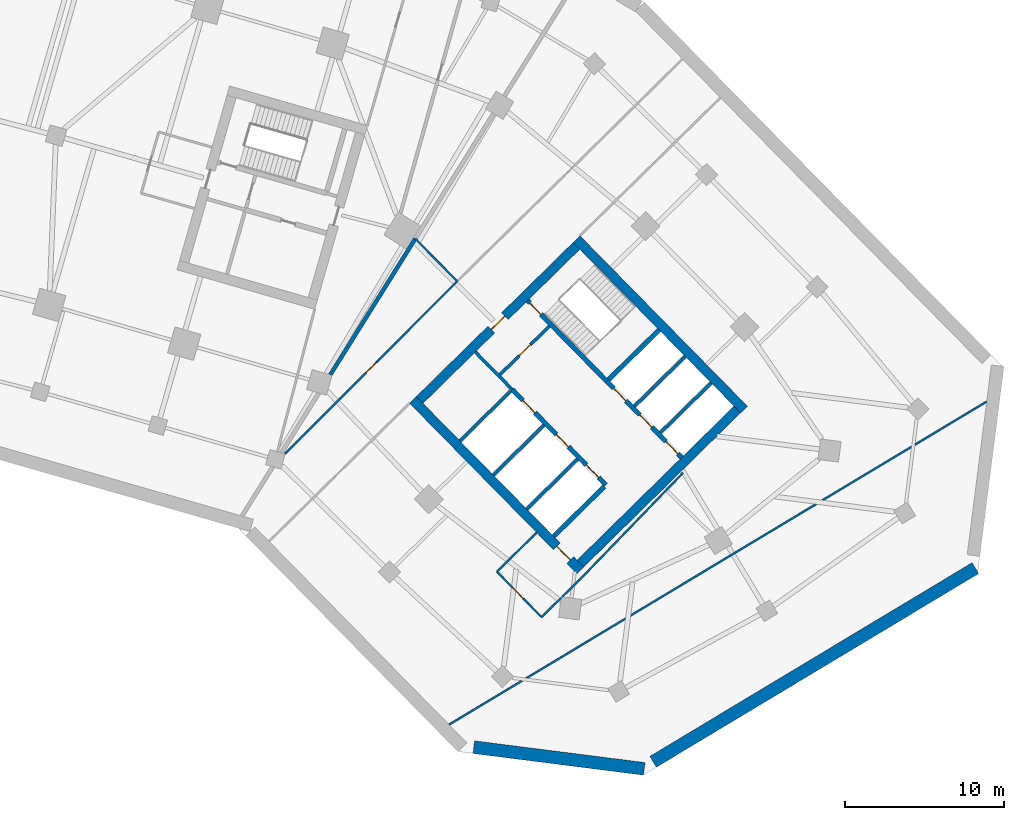
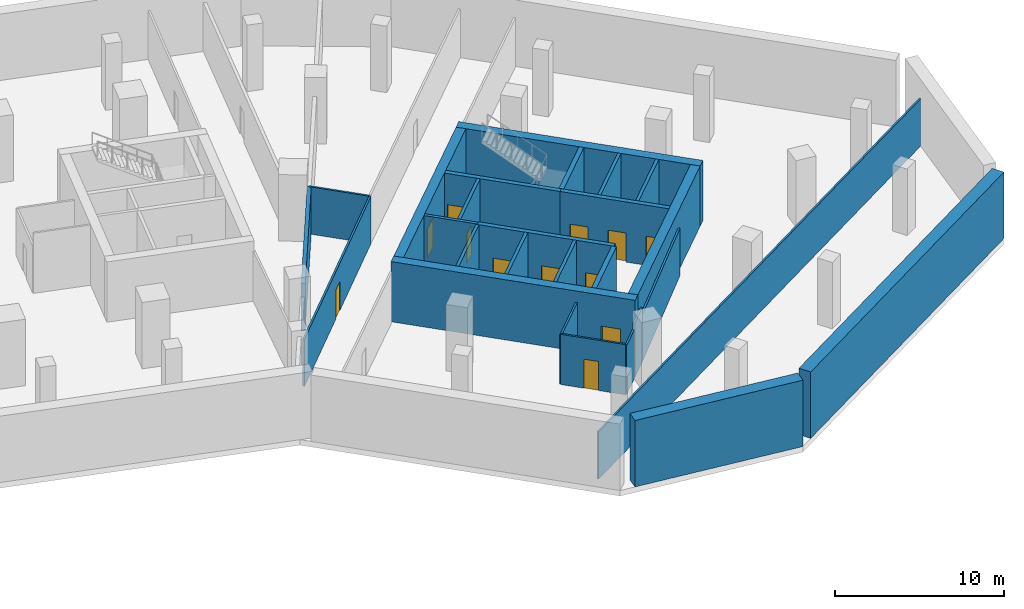
# One storey, part 9 of 13: 27 walls, 12 doors, 12 openings.
"""IFC4 building model written with IfcOpenShell, lengths in metres."""

from ifc_helpers import new_model, si_unit, direction, frame, frame_2d, origin, place, context, subcontext, project, spatial, rectangle, extrude, material, layer, layer_set, type_object, element, fill, save


model = new_model("IFC4")

# Units and contexts
model_context = context("Model", 3, precision=1e-05, world=origin(), true_north=direction((0.0, 1.0)))
body_context = subcontext(model_context, "Body", "Model", "MODEL_VIEW")
ifc_project = project(units=[si_unit("LENGTHUNIT", "METRE"), si_unit("AREAUNIT", "SQUARE_METRE"), si_unit("VOLUMEUNIT", "CUBIC_METRE"), si_unit("PLANEANGLEUNIT", "RADIAN"), si_unit("MASSUNIT", "GRAM", prefix="KILO")], contexts=[model_context])

# Site, building, storey
site_placement = place(None, origin())
site = spatial("IfcSite", under=ifc_project, at=site_placement, CompositionType="ELEMENT")
building_placement = place(site_placement, origin())
building = spatial("IfcBuilding", under=site, at=building_placement, Name="Binnacle Exchange Tower", CompositionType="ELEMENT")
storey_placement = place(building_placement, frame((0.0, 0.0, -4.800048828125)))
storey = spatial("IfcBuildingStorey", under=building, at=storey_placement, Name="B1", CompositionType="ELEMENT", Elevation=-4.800048828125)

# Walls
ifc_material_1 = material(Name="Concrete C40/50", Category="concrete")
ifc_layer_1 = layer(ifc_material_1, 0.800048828125)
ifc_layer_set_1 = layer_set([ifc_layer_1], Name="Basement retaining wall 800 Concrete C40/50")
wall_type_1 = type_object("IfcWallType", Name="Basement retaining wall 800 Concrete C40/50", PredefinedType="SOLIDWALL", material=ifc_layer_set_1)
wall_1_placement = place(storey_placement, frame((35.465576171875, 18.959228515625, 0.0), z_axis=(0.0, 0.0, 1.0), x_axis=(0.992004249918, -0.126204469587, 0.0)))
element("IfcWall", 1, at=wall_1_placement, inside=storey, type_object=wall_type_1, Name="S:RW:B1:11", PredefinedType="SOLIDWALL", context=body_context, shape_type="SweptSolid", body=[
    extrude(rectangle(XDim=10.78662109375, YDim=0.800048828125, at=frame_2d((5.393310546875, 0.0))), origin(), (0.0, 0.0, 1.0), 4.800048828125),
])
wall_2_placement = place(storey_placement, frame((46.724365234375, 18.041748046875, 0.0), z_axis=(0.0, 0.0, 1.0), x_axis=(0.857166937036, 0.515038680151, 0.0)))
element("IfcWall", 2, at=wall_2_placement, inside=storey, type_object=wall_type_1, Name="S:RW:B1:12", PredefinedType="SOLIDWALL", context=body_context, shape_type="SweptSolid", body=[
    extrude(rectangle(XDim=23.603515625, YDim=0.800048828125, at=frame_2d((11.8017578125, 0.0))), origin(), (0.0, 0.0, 1.0), 4.800048828125),
])

# Wall, openings, doors
ifc_material_2 = material(Name="Concrete C70/85", Category="concrete")
ifc_layer_2 = layer(ifc_material_2, 0.300048828125)
ifc_layer_set_2 = layer_set([ifc_layer_2], Name="Core wall - front 300")
wall_type_2 = type_object("IfcWallType", Name="Core wall - front 300", PredefinedType="SOLIDWALL", material=ifc_layer_set_2)
wall_3_placement = place(storey_placement, frame((37.8740234375, 41.41552734375, 0.0), z_axis=(0.0, 0.0, 1.0), x_axis=(0.700918271237, -0.71324159795, 0.0)))
wall_3 = element("IfcWall", 3, at=wall_3_placement, inside=storey, type_object=wall_type_2, Name="Core wall CRWB3", PredefinedType="SOLIDWALL", context=body_context, shape_type="SweptSolid", body=[
    extrude(rectangle(XDim=8.39990234375, YDim=0.300048828125, at=frame_2d((4.199951171875, 0.0))), origin(), (0.0, 0.0, 1.0), 4.35009765625),
])
opening_1_placement = place(wall_3_placement, frame((0.949951171875, 0.0, 0.0)))
opening_1 = element("IfcOpeningElement", 4, at=opening_1_placement, cuts=wall_3, Name="Opening LD15", PredefinedType="OPENING", context=body_context, shape_type="SweptSolid", body=[
    extrude(rectangle(XDim=1.10009765625, YDim=2.10009765625, at=frame_2d((0.550048828125, 1.050048828125))), frame((0.0, 0.159912109375, 0.0), z_axis=(0.0, -1.0, 0.0), x_axis=(1.0, 0.0, 0.0)), (0.0, 0.0, 1.0), 0.320068359375),
])
opening_2_placement = place(wall_3_placement, frame((3.949951171875, 0.0, 0.0)))
opening_2 = element("IfcOpeningElement", 5, at=opening_2_placement, cuts=wall_3, Name="Opening LD16", PredefinedType="OPENING", context=body_context, shape_type="SweptSolid", body=[
    extrude(rectangle(XDim=1.10009765625, YDim=2.10009765625, at=frame_2d((0.550048828125, 1.050048828125))), frame((0.0, 0.159912109375, 0.0), z_axis=(0.0, -1.0, 0.0), x_axis=(1.0, 0.0, 0.0)), (0.0, 0.0, 1.0), 0.320068359375),
])
opening_3_placement = place(wall_3_placement, frame((6.64990234375, 0.0, 0.0)))
opening_3 = element("IfcOpeningElement", 6, at=opening_3_placement, cuts=wall_3, Name="Opening LD4", PredefinedType="OPENING", context=body_context, shape_type="SweptSolid", body=[
    extrude(rectangle(XDim=1.10009765625, YDim=2.10009765625, at=frame_2d((0.550048828125, 1.050048828125))), frame((0.0, 0.159912109375, 0.0), z_axis=(0.0, -1.0, 0.0), x_axis=(1.0, 0.0, 0.0)), (0.0, 0.0, 1.0), 0.320068359375),
])
ifc_material_3 = material(Name="Steel door leaf", Category="steel")
door_type_1 = type_object("IfcDoorType", Name="Fire door - lift landing 1100", OperationType="NOTDEFINED", PredefinedType="DOOR", material=ifc_material_3)
door_1_placement = place(opening_1_placement, origin())
door_1 = element("IfcDoor", 7, at=door_1_placement, inside=storey, type_object=door_type_1, Name="Landing door LD15 B1", OperationType="DOUBLE_DOOR_SLIDING", OverallHeight=2.10009765625, OverallWidth=1.10009765625, PredefinedType="DOOR", context=body_context, shape_type="SweptSolid", body=[
    extrude(rectangle(XDim=1.10009765625, YDim=2.10009765625, at=frame_2d((0.550048828125, 1.050048828125))), frame((0.0, 0.02490234375, 0.0), z_axis=(0.0, -1.0, 0.0), x_axis=(1.0, 0.0, 0.0)), (0.0, 0.0, 1.0), 0.050048828125),
])
fill(opening_1, door_1)
door_2_placement = place(opening_2_placement, origin())
door_2 = element("IfcDoor", 8, at=door_2_placement, inside=storey, type_object=door_type_1, Name="Landing door LD16 B1", OperationType="DOUBLE_DOOR_SLIDING", OverallHeight=2.10009765625, OverallWidth=1.10009765625, PredefinedType="DOOR", context=body_context, shape_type="SweptSolid", body=[
    extrude(rectangle(XDim=1.10009765625, YDim=2.10009765625, at=frame_2d((0.550048828125, 1.050048828125))), frame((0.0, 0.02490234375, 0.0), z_axis=(0.0, -1.0, 0.0), x_axis=(1.0, 0.0, 0.0)), (0.0, 0.0, 1.0), 0.050048828125),
])
fill(opening_2, door_2)
door_3_placement = place(opening_3_placement, origin())
door_3 = element("IfcDoor", 9, at=door_3_placement, inside=storey, type_object=door_type_1, Name="Landing door LD4 B1", OperationType="DOUBLE_DOOR_SLIDING", OverallHeight=2.10009765625, OverallWidth=1.10009765625, PredefinedType="DOOR", context=body_context, shape_type="SweptSolid", body=[
    extrude(rectangle(XDim=1.10009765625, YDim=2.10009765625, at=frame_2d((0.550048828125, 1.050048828125))), frame((0.0, 0.02490234375, 0.0), z_axis=(0.0, -1.0, 0.0), x_axis=(1.0, 0.0, 0.0)), (0.0, 0.0, 1.0), 0.050048828125),
])
fill(opening_3, door_3)

wall_4_placement = place(storey_placement, frame((43.818603515625, 41.92919921875, 0.0), z_axis=(0.0, 0.0, 1.0), x_axis=(0.700921619155, -0.713238307862, 0.0)))
wall_4 = element("IfcWall", 10, at=wall_4_placement, inside=storey, type_object=wall_type_2, Name="Core wall CRWB5", PredefinedType="SOLIDWALL", context=body_context, shape_type="SweptSolid", body=[
    extrude(rectangle(XDim=6.69970703125, YDim=0.300048828125, at=frame_2d((3.349853515625, 0.0))), origin(), (0.0, 0.0, 1.0), 4.35009765625),
])
opening_4_placement = place(wall_4_placement, frame((0.614990234375, 0.0, 0.0)))
opening_4 = element("IfcOpeningElement", 11, at=opening_4_placement, cuts=wall_4, Name="Opening LD1", PredefinedType="OPENING", context=body_context, shape_type="SweptSolid", body=[
    extrude(rectangle(XDim=1.10009765625, YDim=2.10009765625, at=frame_2d((0.550048828125, 1.050048828125))), frame((0.0, 0.159912109375, 0.0), z_axis=(0.0, -1.0, 0.0), x_axis=(1.0, 0.0, 0.0)), (0.0, 0.0, 1.0), 0.320068359375),
])
opening_5_placement = place(wall_4_placement, frame((2.945068359375, 0.0, 0.0)))
opening_5 = element("IfcOpeningElement", 12, at=opening_5_placement, cuts=wall_4, Name="Opening LD2", PredefinedType="OPENING", context=body_context, shape_type="SweptSolid", body=[
    extrude(rectangle(XDim=1.10009765625, YDim=2.10009765625, at=frame_2d((0.550048828125, 1.050048828125))), frame((0.0, 0.159912109375, 0.0), z_axis=(0.0, -1.0, 0.0), x_axis=(1.0, 0.0, 0.0)), (0.0, 0.0, 1.0), 0.320068359375),
])
opening_6_placement = place(wall_4_placement, frame((5.280029296875, 0.0, 0.0)))
opening_6 = element("IfcOpeningElement", 13, at=opening_6_placement, cuts=wall_4, Name="Opening LD3", PredefinedType="OPENING", context=body_context, shape_type="SweptSolid", body=[
    extrude(rectangle(XDim=1.10009765625, YDim=2.10009765625, at=frame_2d((0.550048828125, 1.050048828125))), frame((0.0, 0.159912109375, 0.0), z_axis=(0.0, -1.0, 0.0), x_axis=(1.0, 0.0, 0.0)), (0.0, 0.0, 1.0), 0.320068359375),
])
door_4_placement = place(opening_4_placement, origin())
door_4 = element("IfcDoor", 14, at=door_4_placement, inside=storey, type_object=door_type_1, Name="Landing door LD1 B1", OperationType="DOUBLE_DOOR_SLIDING", OverallHeight=2.10009765625, OverallWidth=1.10009765625, PredefinedType="DOOR", context=body_context, shape_type="SweptSolid", body=[
    extrude(rectangle(XDim=1.10009765625, YDim=2.10009765625, at=frame_2d((0.550048828125, 1.050048828125))), frame((0.0, 0.02490234375, 0.0), z_axis=(0.0, -1.0, 0.0), x_axis=(1.0, 0.0, 0.0)), (0.0, 0.0, 1.0), 0.050048828125),
])
fill(opening_4, door_4)
door_5_placement = place(opening_5_placement, origin())
door_5 = element("IfcDoor", 15, at=door_5_placement, inside=storey, type_object=door_type_1, Name="Landing door LD2 B1", OperationType="DOUBLE_DOOR_SLIDING", OverallHeight=2.10009765625, OverallWidth=1.10009765625, PredefinedType="DOOR", context=body_context, shape_type="SweptSolid", body=[
    extrude(rectangle(XDim=1.10009765625, YDim=2.10009765625, at=frame_2d((0.550048828125, 1.050048828125))), frame((0.0, 0.02490234375, 0.0), z_axis=(0.0, -1.0, 0.0), x_axis=(1.0, 0.0, 0.0)), (0.0, 0.0, 1.0), 0.050048828125),
])
fill(opening_5, door_5)
door_6_placement = place(opening_6_placement, origin())
door_6 = element("IfcDoor", 16, at=door_6_placement, inside=storey, type_object=door_type_1, Name="Landing door LD3 B1", OperationType="DOUBLE_DOOR_SLIDING", OverallHeight=2.10009765625, OverallWidth=1.10009765625, PredefinedType="DOOR", context=body_context, shape_type="SweptSolid", body=[
    extrude(rectangle(XDim=1.10009765625, YDim=2.10009765625, at=frame_2d((0.550048828125, 1.050048828125))), frame((0.0, 0.02490234375, 0.0), z_axis=(0.0, -1.0, 0.0), x_axis=(1.0, 0.0, 0.0)), (0.0, 0.0, 1.0), 0.050048828125),
])
fill(opening_6, door_6)

# Wall
wall_5_placement = place(storey_placement, frame((40.480712890625, 32.199951171875, 0.0), z_axis=(0.0, 0.0, 1.0), x_axis=(0.713251741427, 0.700907949271, 0.0)))
element("IfcWall", 17, at=wall_5_placement, inside=storey, type_object=wall_type_2, Name="Core wall CRWB14", PredefinedType="SOLIDWALL", context=body_context, shape_type="SweptSolid", body=[
    extrude(rectangle(XDim=4.4501953125, YDim=0.300048828125, at=frame_2d((2.22509765625, 0.0))), origin(), (0.0, 0.0, 1.0), 4.35009765625),
])

# Wall, opening, door
ifc_layer_3 = layer(ifc_material_2, 0.60009765625)
ifc_layer_set_3 = layer_set([ifc_layer_3], Name="Core wall - outer 600")
wall_type_3 = type_object("IfcWallType", Name="Core wall - outer 600", PredefinedType="SOLIDWALL", material=ifc_layer_set_3)
wall_6_placement = place(storey_placement, frame((31.6455078125, 40.7626953125, 0.0), z_axis=(0.0, 0.0, 1.0), x_axis=(0.700911255944, -0.713248491965, 0.0)))
wall_6 = element("IfcWall", 18, at=wall_6_placement, inside=storey, type_object=wall_type_3, Name="Core wall CRWB1", PredefinedType="SOLIDWALL", context=body_context, shape_type="SweptSolid", body=[
    extrude(rectangle(XDim=15.0, YDim=0.60009765625, at=frame_2d((7.5, 0.0))), origin(), (0.0, 0.0, 1.0), 4.35009765625),
])
opening_7_placement = place(wall_6_placement, frame((12.89990234375, 0.0, 0.0)))
opening_7 = element("IfcOpeningElement", 19, at=opening_7_placement, cuts=wall_6, Name="Opening DB7", PredefinedType="OPENING", context=body_context, shape_type="SweptSolid", body=[
    extrude(rectangle(XDim=1.199951171875, YDim=2.10009765625, at=frame_2d((0.60009765625, 1.050048828125))), frame((0.0, 0.31005859375, 0.0), z_axis=(0.0, -1.0, 0.0), x_axis=(1.0, 0.0, 0.0)), (0.0, 0.0, 1.0), 0.6201171875),
])
door_type_2 = type_object("IfcDoorType", Name="Fire door 1200", OperationType="NOTDEFINED", PredefinedType="DOOR", material=ifc_material_3)
door_7_placement = place(opening_7_placement, frame((1.199951171875, 0.0, 0.0), z_axis=(0.0, 0.0, 1.0), x_axis=(-1.0, 0.0, 0.0)))
door_7 = element("IfcDoor", 20, at=door_7_placement, inside=storey, type_object=door_type_2, Name="Lift lobby entrance door core B", OperationType="SINGLE_SWING_LEFT", OverallHeight=2.10009765625, OverallWidth=1.199951171875, PredefinedType="DOOR", context=body_context, shape_type="SweptSolid", body=[
    extrude(rectangle(XDim=1.199951171875, YDim=2.10009765625, at=frame_2d((0.60009765625, 1.050048828125))), frame((0.0, 0.02490234375, 0.0), z_axis=(0.0, -1.0, 0.0), x_axis=(1.0, 0.0, 0.0)), (0.0, 0.0, 1.0), 0.050048828125),
])
fill(opening_7, door_7)

# Wall
wall_7_placement = place(storey_placement, frame((41.91650390625, 50.855712890625, 0.0), z_axis=(0.0, 0.0, 1.0), x_axis=(0.700911255944, -0.713248491965, 0.0)))
element("IfcWall", 21, at=wall_7_placement, inside=storey, type_object=wall_type_3, Name="Core wall CRWB6", PredefinedType="SOLIDWALL", context=body_context, shape_type="SweptSolid", body=[
    extrude(rectangle(XDim=15.0, YDim=0.60009765625, at=frame_2d((7.5, 0.0))), origin(), (0.0, 0.0, 1.0), 4.35009765625),
])

# Wall, opening, door
wall_8_placement = place(storey_placement, frame((32.06982421875, 40.759033203125, 0.0), z_axis=(0.0, 0.0, 1.0), x_axis=(0.713245344712, 0.70091445858, 0.0)))
wall_8 = element("IfcWall", 22, at=wall_8_placement, inside=storey, type_object=wall_type_3, Name="Core wall CRWB7", PredefinedType="SOLIDWALL", context=body_context, shape_type="SweptSolid", body=[
    extrude(rectangle(XDim=13.800048828125, YDim=0.60009765625, at=frame_2d((6.89990234375, 0.0))), origin(), (0.0, 0.0, 1.0), 4.35009765625),
])
opening_8_placement = place(wall_8_placement, frame((6.300048828125, 0.0, 0.0)))
opening_8 = element("IfcOpeningElement", 23, at=opening_8_placement, cuts=wall_8, Name="Opening DB5", PredefinedType="OPENING", context=body_context, shape_type="SweptSolid", body=[
    extrude(rectangle(XDim=1.199951171875, YDim=2.10009765625, at=frame_2d((0.60009765625, 1.050048828125))), frame((0.0, 0.31005859375, 0.0), z_axis=(0.0, -1.0, 0.0), x_axis=(1.0, 0.0, 0.0)), (0.0, 0.0, 1.0), 0.6201171875),
])
door_8_placement = place(opening_8_placement, origin())
door_8 = element("IfcDoor", 24, at=door_8_placement, inside=storey, type_object=door_type_2, Name="Vestibule exit door VEST-W", OperationType="SINGLE_SWING_RIGHT", OverallHeight=2.10009765625, OverallWidth=1.199951171875, PredefinedType="DOOR", context=body_context, shape_type="SweptSolid", body=[
    extrude(rectangle(XDim=1.199951171875, YDim=2.10009765625, at=frame_2d((0.60009765625, 1.050048828125))), frame((0.0, 0.02490234375, 0.0), z_axis=(0.0, -1.0, 0.0), x_axis=(1.0, 0.0, 0.0)), (0.0, 0.0, 1.0), 0.050048828125),
])
fill(opening_8, door_8)

# Wall
wall_9_placement = place(storey_placement, frame((42.1630859375, 30.48828125, 0.0), z_axis=(0.0, 0.0, 1.0), x_axis=(0.713245344712, 0.70091445858, 0.0)))
element("IfcWall", 25, at=wall_9_placement, inside=storey, type_object=wall_type_3, Name="Core wall CRWB16", PredefinedType="SOLIDWALL", context=body_context, shape_type="SweptSolid", body=[
    extrude(rectangle(XDim=13.800048828125, YDim=0.60009765625, at=frame_2d((6.89990234375, 0.0))), origin(), (0.0, 0.0, 1.0), 4.35009765625),
])

# Wall, opening, door
ifc_layer_4 = layer(ifc_material_2, 0.300048828125)
ifc_layer_set_4 = layer_set([ifc_layer_4], Name="Core wall - stair 300")
wall_type_4 = type_object("IfcWallType", Name="Core wall - stair 300", PredefinedType="SOLIDWALL", material=ifc_layer_set_4)
wall_10_placement = place(storey_placement, frame((38.842041015625, 46.993408203125, 0.0), z_axis=(0.0, 0.0, 1.0), x_axis=(0.700907701701, -0.713251984713, 0.0)))
wall_10 = element("IfcWall", 26, at=wall_10_placement, inside=storey, type_object=wall_type_4, Name="Core wall CRWB4", PredefinedType="SOLIDWALL", context=body_context, shape_type="SweptSolid", body=[
    extrude(rectangle(XDim=7.10009765625, YDim=0.300048828125, at=frame_2d((3.550048828125, 0.0))), origin(), (0.0, 0.0, 1.0), 4.35009765625),
])
opening_9_placement = place(wall_10_placement, frame((0.199951171875, 0.0, 0.0)))
opening_9 = element("IfcOpeningElement", 27, at=opening_9_placement, cuts=wall_10, Name="Opening DB1", PredefinedType="OPENING", context=body_context, shape_type="SweptSolid", body=[
    extrude(rectangle(XDim=1.0, YDim=2.10009765625, at=frame_2d((0.5, 1.050048828125))), frame((0.0, 0.159912109375, 0.0), z_axis=(0.0, -1.0, 0.0), x_axis=(1.0, 0.0, 0.0)), (0.0, 0.0, 1.0), 0.320068359375),
])
door_type_3 = type_object("IfcDoorType", Name="Fire door 1000", OperationType="NOTDEFINED", PredefinedType="DOOR", material=ifc_material_3)
door_9_placement = place(opening_9_placement, origin())
door_9 = element("IfcDoor", 28, at=door_9_placement, inside=storey, type_object=door_type_3, Name="Stair door ST-B1", OperationType="SINGLE_SWING_LEFT", OverallHeight=2.10009765625, OverallWidth=1.0, PredefinedType="DOOR", context=body_context, shape_type="SweptSolid", body=[
    extrude(rectangle(XDim=1.0, YDim=2.10009765625, at=frame_2d((0.5, 1.050048828125))), frame((0.0, 0.02490234375, 0.0), z_axis=(0.0, -1.0, 0.0), x_axis=(1.0, 0.0, 0.0)), (0.0, 0.0, 1.0), 0.050048828125),
])
fill(opening_9, door_9)

# Walls
wall_11_placement = place(storey_placement, frame((43.925537109375, 42.034423828125, 0.0), z_axis=(0.0, 0.0, 1.0), x_axis=(0.713251741427, 0.700907949271, 0.0)))
element("IfcWall", 29, at=wall_11_placement, inside=storey, type_object=wall_type_4, Name="Core wall CRWB11", PredefinedType="SOLIDWALL", context=body_context, shape_type="SweptSolid", body=[
    extrude(rectangle(XDim=4.4501953125, YDim=0.300048828125, at=frame_2d((2.22509765625, 0.0))), origin(), (0.0, 0.0, 1.0), 4.35009765625),
])
ifc_material_4 = material(Name="Concrete fire wall C30/37", Category="concrete")
ifc_layer_5 = layer(ifc_material_4, 0.25)
ifc_layer_set_5 = layer_set([ifc_layer_5], Name="Fire wall - compartment 250")
wall_type_5 = type_object("IfcWallType", Name="Fire wall - compartment 250", PredefinedType="PARTITIONING", material=ifc_layer_set_5)
wall_12_placement = place(storey_placement, frame((26.4560546875, 42.337890625, 0.0), z_axis=(0.0, 0.0, 1.0), x_axis=(0.529866075757, 0.848081329686, 0.0)))
element("IfcWall", 30, at=wall_12_placement, inside=storey, type_object=wall_type_5, Name="Fire Wall W50", PredefinedType="PARTITIONING", context=body_context, shape_type="SweptSolid", body=[
    extrude(rectangle(XDim=10.075927734375, YDim=0.25, at=frame_2d((5.0380859375, 0.0))), origin(), (0.0, 0.0, 1.0), 3.412109375),
])

# Wall, opening, door
ifc_material_5 = material(Name="Masonry block wall", Category="masonry")
ifc_layer_6 = layer(ifc_material_5, 0.199951171875)
ifc_layer_set_6 = layer_set([ifc_layer_6], Name="Fire wall - vestibule 200")
wall_type_6 = type_object("IfcWallType", Name="Fire wall - vestibule 200", PredefinedType="PARTITIONING", material=ifc_layer_set_6)
wall_13_placement = place(storey_placement, frame((37.104248046875, 42.341552734375, 0.0), z_axis=(0.0, 0.0, 1.0), x_axis=(0.713281298468, 0.700877870428, 0.0)))
wall_13 = element("IfcWall", 31, at=wall_13_placement, inside=storey, type_object=wall_type_6, Name="Core wall CRWB8", PredefinedType="PARTITIONING", context=body_context, shape_type="SweptSolid", body=[
    extrude(rectangle(XDim=4.35009765625, YDim=0.199951171875, at=frame_2d((2.175048828125, 0.0))), origin(), (0.0, 0.0, 1.0), 4.35009765625),
])
opening_10_placement = place(wall_13_placement, frame((1.699951171875, 0.0, 0.0)))
opening_10 = element("IfcOpeningElement", 32, at=opening_10_placement, cuts=wall_13, Name="Opening DB3", PredefinedType="OPENING", context=body_context, shape_type="SweptSolid", body=[
    extrude(rectangle(XDim=1.0, YDim=2.10009765625, at=frame_2d((0.5, 1.050048828125))), frame((0.0, 0.10986328125, 0.0), z_axis=(0.0, -1.0, 0.0), x_axis=(1.0, 0.0, 0.0)), (0.0, 0.0, 1.0), 0.219970703125),
])
door_10_placement = place(opening_10_placement, origin())
door_10 = element("IfcDoor", 33, at=door_10_placement, inside=storey, type_object=door_type_3, Name="Vestibule door VEST-W", OperationType="SINGLE_SWING_RIGHT", OverallHeight=2.10009765625, OverallWidth=1.0, PredefinedType="DOOR", context=body_context, shape_type="SweptSolid", body=[
    extrude(rectangle(XDim=1.0, YDim=2.10009765625, at=frame_2d((0.5, 1.050048828125))), frame((0.0, 0.02490234375, 0.0), z_axis=(0.0, -1.0, 0.0), x_axis=(1.0, 0.0, 0.0)), (0.0, 0.0, 1.0), 0.050048828125),
])
fill(opening_10, door_10)

ifc_material_6 = material(Name="Gypsum partition")
ifc_layer_7 = layer(ifc_material_6, 0.125)
ifc_layer_set_7 = layer_set([ifc_layer_7], Name="Partition 125")
wall_type_7 = type_object("IfcWallType", Name="Partition 125", PredefinedType="PARTITIONING", material=ifc_layer_set_7)
wall_14_placement = place(storey_placement, frame((23.617919921875, 37.37890625, 0.0), z_axis=(0.0, 0.0, 1.0), x_axis=(0.706356332605, 0.707856434165, 0.0)))
wall_14 = element("IfcWall", 34, at=wall_14_placement, inside=storey, type_object=wall_type_7, Name="Partition W49", PredefinedType="PARTITIONING", context=body_context, shape_type="SweptSolid", body=[
    extrude(rectangle(XDim=15.29833984375, YDim=0.125, at=frame_2d((7.649169921875, 0.0))), origin(), (0.0, 0.0, 1.0), 3.41796875),
])
opening_11_placement = place(wall_14_placement, frame((7.199951171875, 0.0, 0.0)))
opening_11 = element("IfcOpeningElement", 35, at=opening_11_placement, cuts=wall_14, Name="Opening DB1-17", PredefinedType="OPENING", context=body_context, shape_type="SweptSolid", body=[
    extrude(rectangle(XDim=0.89990234375, YDim=2.10009765625, at=frame_2d((0.449951171875, 1.050048828125))), frame((0.0, 0.072509765625, 0.0), z_axis=(0.0, -1.0, 0.0), x_axis=(1.0, 0.0, 0.0)), (0.0, 0.0, 1.0), 0.14501953125),
])
ifc_material_7 = material(Name="Timber door leaf", Category="wood")
door_type_4 = type_object("IfcDoorType", Name="Door 900", OperationType="NOTDEFINED", PredefinedType="DOOR", material=ifc_material_7)
door_11_placement = place(opening_11_placement, origin())
door_11 = element("IfcDoor", 36, at=door_11_placement, inside=storey, type_object=door_type_4, Name="Door DB1-17", OperationType="SINGLE_SWING_RIGHT", OverallHeight=2.10009765625, OverallWidth=0.89990234375, PredefinedType="DOOR", context=body_context, shape_type="SweptSolid", body=[
    extrude(rectangle(XDim=0.89990234375, YDim=2.10009765625, at=frame_2d((0.449951171875, 1.050048828125))), frame((0.0, 0.02490234375, 0.0), z_axis=(0.0, -1.0, 0.0), x_axis=(1.0, 0.0, 0.0)), (0.0, 0.0, 1.0), 0.050048828125),
])
fill(opening_11, door_11)

# Walls
wall_15_placement = place(storey_placement, frame((31.794921875, 50.883056640625, 0.0), z_axis=(0.0, 0.0, 1.0), x_axis=(0.700961783082, -0.713198835289, 0.0)))
element("IfcWall", 37, at=wall_15_placement, inside=storey, type_object=wall_type_7, Name="Partition W53", PredefinedType="PARTITIONING", context=body_context, shape_type="SweptSolid", body=[
    extrude(rectangle(XDim=3.750732421875, YDim=0.125, at=frame_2d((1.87548828125, 0.0))), origin(), (0.0, 0.0, 1.0), 3.41796875),
])
wall_16_placement = place(storey_placement, frame((33.916015625, 20.3779296875, 0.0), z_axis=(0.0, 0.0, 1.0), x_axis=(0.857167223985, 0.515038202589, 0.0)))
element("IfcWall", 38, at=wall_16_placement, inside=storey, type_object=wall_type_7, Name="Partition W55", PredefinedType="PARTITIONING", context=body_context, shape_type="SweptSolid", body=[
    extrude(rectangle(XDim=39.373779296875, YDim=0.125, at=frame_2d((19.68701171875, 0.0))), origin(), (0.0, 0.0, 1.0), 3.41796875),
])
wall_17_placement = place(storey_placement, frame((36.916015625, 29.97802734375, 0.0), z_axis=(0.0, 0.0, 1.0), x_axis=(0.713390873856, 0.700766338446, 0.0)))
element("IfcWall", 39, at=wall_17_placement, inside=storey, type_object=wall_type_7, Name="Partition W57", PredefinedType="PARTITIONING", context=body_context, shape_type="SweptSolid", body=[
    extrude(rectangle(XDim=3.500244140625, YDim=0.125, at=frame_2d((1.75, 0.0))), origin(), (0.0, 0.0, 1.0), 3.530029296875),
])

# Wall, opening, door
wall_18_placement = place(storey_placement, frame((36.916015625, 29.97802734375, 0.0), z_axis=(0.0, 0.0, 1.0), x_axis=(0.700946514588, -0.713213841486, 0.0)))
wall_18 = element("IfcWall", 40, at=wall_18_placement, inside=storey, type_object=wall_type_7, Name="Partition W58", PredefinedType="PARTITIONING", context=body_context, shape_type="SweptSolid", body=[
    extrude(rectangle(XDim=4.000244140625, YDim=0.125, at=frame_2d((2.0, 0.0))), origin(), (0.0, 0.0, 1.0), 3.630126953125),
])
opening_12_placement = place(wall_18_placement, frame((1.449951171875, 0.0, 0.0)))
opening_12 = element("IfcOpeningElement", 41, at=opening_12_placement, cuts=wall_18, Name="Opening DB1-14", PredefinedType="OPENING", context=body_context, shape_type="SweptSolid", body=[
    extrude(rectangle(XDim=0.89990234375, YDim=2.10009765625, at=frame_2d((0.449951171875, 1.050048828125))), frame((0.0, 0.072509765625, 0.0), z_axis=(0.0, -1.0, 0.0), x_axis=(1.0, 0.0, 0.0)), (0.0, 0.0, 1.0), 0.14501953125),
])
door_12_placement = place(opening_12_placement, origin())
door_12 = element("IfcDoor", 42, at=door_12_placement, inside=storey, type_object=door_type_4, Name="Door DB1-14", OperationType="SINGLE_SWING_LEFT", OverallHeight=2.10009765625, OverallWidth=0.89990234375, PredefinedType="DOOR", context=body_context, shape_type="SweptSolid", body=[
    extrude(rectangle(XDim=0.89990234375, YDim=2.10009765625, at=frame_2d((0.449951171875, 1.050048828125))), frame((0.0, 0.02490234375, 0.0), z_axis=(0.0, -1.0, 0.0), x_axis=(1.0, 0.0, 0.0)), (0.0, 0.0, 1.0), 0.050048828125),
])
fill(opening_12, door_12)

# Walls
wall_19_placement = place(storey_placement, frame((39.719970703125, 27.125, 0.0), z_axis=(0.0, 0.0, 1.0), x_axis=(0.713177241148, 0.700983753526, 0.0)))
element("IfcWall", 43, at=wall_19_placement, inside=storey, type_object=wall_type_7, Name="Partition W60", PredefinedType="PARTITIONING", context=body_context, shape_type="SweptSolid", body=[
    extrude(rectangle(XDim=1.721923828125, YDim=0.125, at=frame_2d((0.86083984375, 0.0))), origin(), (0.0, 0.0, 1.0), 3.530029296875),
])
wall_20_placement = place(storey_placement, frame((41.011962890625, 28.39501953125, 0.0), z_axis=(0.0, 0.0, 1.0), x_axis=(0.713370682438, 0.700786893027, 0.0)))
element("IfcWall", 44, at=wall_20_placement, inside=storey, type_object=wall_type_7, Name="Partition W61", PredefinedType="PARTITIONING", context=body_context, shape_type="SweptSolid", body=[
    extrude(rectangle(XDim=1.68798828125, YDim=0.125, at=frame_2d((0.843994140625, 0.0))), origin(), (0.0, 0.0, 1.0), 3.929931640625),
])
wall_21_placement = place(storey_placement, frame((42.22998046875, 29.592041015625, 0.0), z_axis=(0.0, 0.0, 1.0), x_axis=(0.694947717254, 0.719060268882, 0.0)))
element("IfcWall", 45, at=wall_21_placement, inside=storey, type_object=wall_type_7, Name="Partition W63", PredefinedType="PARTITIONING", context=body_context, shape_type="SweptSolid", body=[
    extrude(rectangle(XDim=9.1630859375, YDim=0.125, at=frame_2d((4.58154296875, 0.0))), origin(), (0.0, 0.0, 1.0), 3.41796875),
])
ifc_layer_8 = layer(ifc_material_5, 0.199951171875)
ifc_layer_set_8 = layer_set([ifc_layer_8], Name="Riser wall 200")
wall_type_8 = type_object("IfcWallType", Name="Riser wall 200", PredefinedType="SOLIDWALL", material=ifc_layer_set_8)
wall_22_placement = place(storey_placement, frame((35.56103515625, 43.769287109375, 0.0), z_axis=(0.0, 0.0, 1.0), x_axis=(0.70090232736, -0.713257266, 0.0)))
element("IfcWall", 46, at=wall_22_placement, inside=storey, type_object=wall_type_8, Name="Core wall CRWB2", PredefinedType="SOLIDWALL", context=body_context, shape_type="SweptSolid", body=[
    extrude(rectangle(XDim=3.300048828125, YDim=0.199951171875, at=frame_2d((1.64990234375, 0.0))), origin(), (0.0, 0.0, 1.0), 4.35009765625),
])
wall_23_placement = place(storey_placement, frame((34.59326171875, 38.19140625, 0.0), z_axis=(0.0, 0.0, 1.0), x_axis=(0.713252216116, 0.700907466222, 0.0)))
element("IfcWall", 47, at=wall_23_placement, inside=storey, type_object=wall_type_8, Name="Core wall CRWB9", PredefinedType="SOLIDWALL", context=body_context, shape_type="SweptSolid", body=[
    extrude(rectangle(XDim=4.44970703125, YDim=0.199951171875, at=frame_2d((2.224853515625, 0.0))), origin(), (0.0, 0.0, 1.0), 4.35009765625),
])
ifc_layer_9 = layer(ifc_material_5, 0.199951171875)
ifc_layer_set_9 = layer_set([ifc_layer_9], Name="Shaft wall 200")
wall_type_9 = type_object("IfcWallType", Name="Shaft wall 200", PredefinedType="SOLIDWALL", material=ifc_layer_set_9)
for number, where, z_axis, x_axis, name in (
    (48, (36.69580078125, 36.051513671875, 0.0), (0.0, 0.0, 1.0), (0.713251741427, 0.700907949271, 0.0), "Core wall CRWB10"),
    (49, (38.798583984375, 33.911865234375, 0.0), (0.0, 0.0, 1.0), (0.713251741427, 0.700907949271, 0.0), "Core wall CRWB12"),
    (50, (45.55859375, 40.37255859375, 0.0), (0.0, 0.0, 1.0), (0.713251741427, 0.700907949271, 0.0), "Core wall CRWB13"),
    (51, (47.191650390625, 38.710693359375, 0.0), (0.0, 0.0, 1.0), (0.713251741427, 0.700907949271, 0.0), "Core wall CRWB15"),
):
    element("IfcWall", number, at=place(storey_placement, frame(where, z_axis=z_axis, x_axis=x_axis)), inside=storey, type_object=wall_type_9, Name=name, PredefinedType="SOLIDWALL", context=body_context, shape_type="SweptSolid", body=[
        extrude(rectangle(XDim=4.4501953125, YDim=0.199951171875, at=frame_2d((2.22509765625, 0.0))), origin(), (0.0, 0.0, 1.0), 4.35009765625),
    ])

save(model, "model.ifc")
